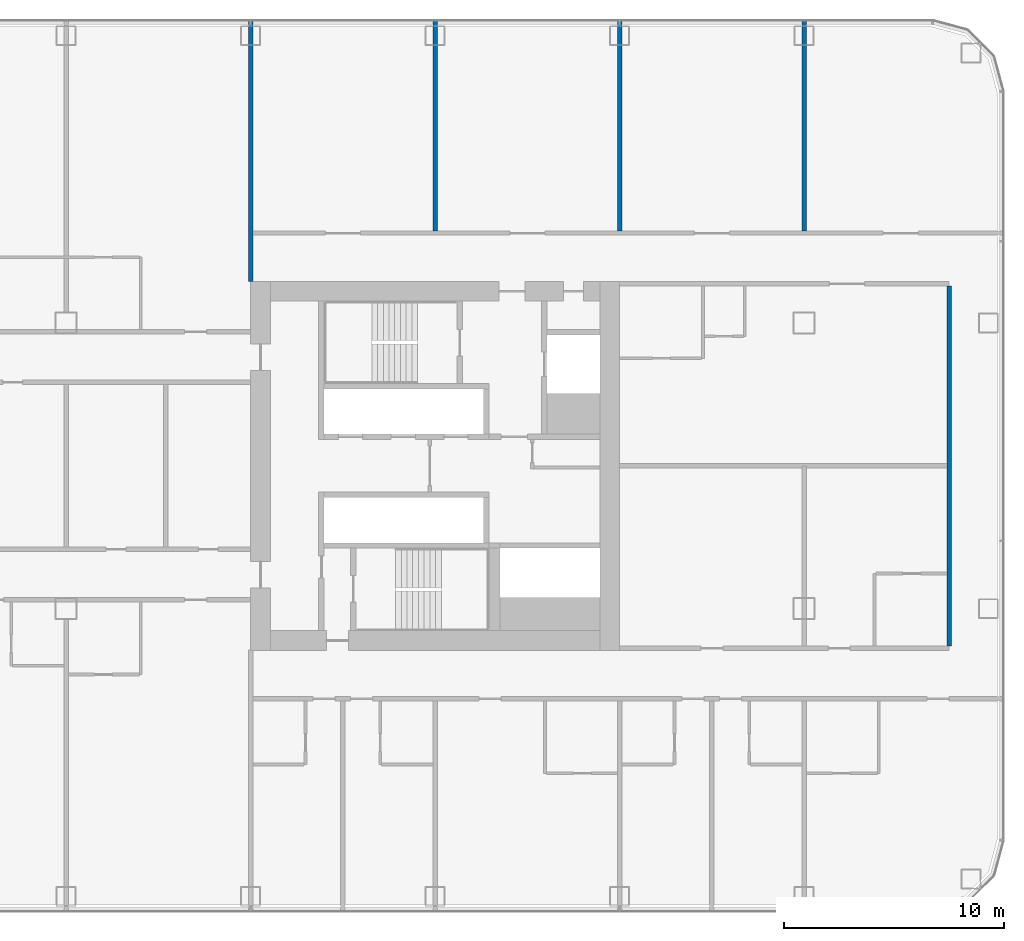
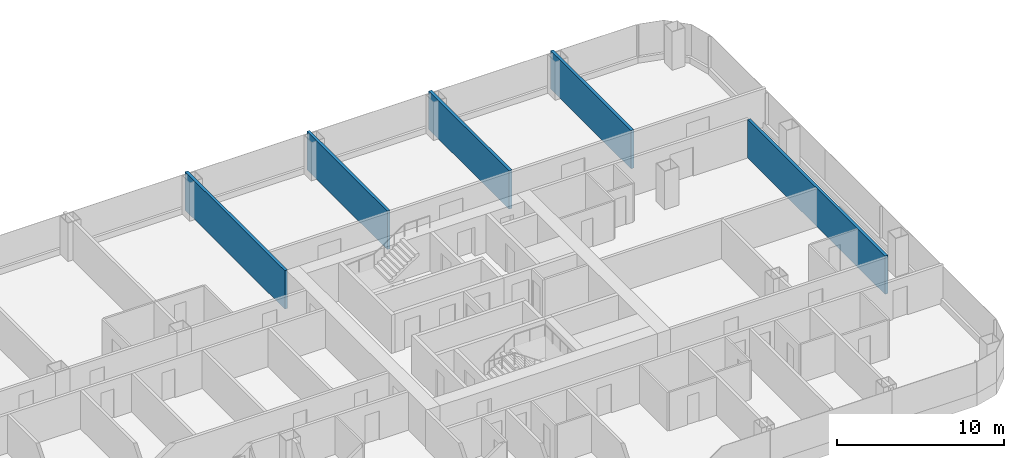
# One storey, part 20 of 29: 5 walls.
"""IFC4 building model written with IfcOpenShell, lengths in metres."""

from ifc_helpers import new_model, si_unit, direction, frame, frame_2d, origin, place, context, subcontext, project, spatial, rectangle, extrude, material, layer, layer_set, type_object, element, save


model = new_model("IFC4")

# Units and contexts
model_context = context("Model", 3, precision=1e-05, world=origin(), true_north=direction((0.0, 1.0)))
body_context = subcontext(model_context, "Body", "Model", "MODEL_VIEW")
ifc_project = project(units=[si_unit("LENGTHUNIT", "METRE"), si_unit("AREAUNIT", "SQUARE_METRE"), si_unit("VOLUMEUNIT", "CUBIC_METRE"), si_unit("PLANEANGLEUNIT", "RADIAN"), si_unit("MASSUNIT", "GRAM", prefix="KILO")], contexts=[model_context])

# Site, building, storey
site_placement = place(None, origin())
site = spatial("IfcSite", under=ifc_project, at=site_placement, CompositionType="ELEMENT")
building_placement = place(site_placement, origin())
building = spatial("IfcBuilding", under=site, at=building_placement, Name="Hakoniwa Tower and Hamabe Station Hall", CompositionType="ELEMENT")
storey_placement = place(building_placement, frame((0.0, 0.0, 45.39990234375)))
storey = spatial("IfcBuildingStorey", under=building, at=storey_placement, Name="L12", CompositionType="ELEMENT", Elevation=45.39990234375)

# Walls
ifc_material = material(Name="Fire-rated gypsum board partition", Category="gypsum")
ifc_layer = layer(ifc_material, 0.199951171875)
ifc_layer_set = layer_set([ifc_layer], Name="Party Wall 200")
wall_type = type_object("IfcWallType", Name="Party Wall 200", PredefinedType="PARTITIONING", material=ifc_layer_set)
wall_1_placement = place(storey_placement, frame((16.800048828125, 8.389892578125, 0.0), z_axis=(0.0, 0.0, 1.0), x_axis=(0.0, 1.0, 0.0)))
element("IfcWall", 1, at=wall_1_placement, inside=storey, type_object=wall_type, Name="GW-L12-097", PredefinedType="PARTITIONING", context=body_context, shape_type="SweptSolid", body=[
    extrude(rectangle(XDim=11.91015625, YDim=0.199951171875, at=frame_2d((5.955078125, 0.0))), origin(), (0.0, 0.0, 1.0), 2.800048828125),
])
for number, where, z_axis, x_axis, name in (
    (2, (25.199951171875, 10.699951171875, 0.0), (0.0, 0.0, 1.0), (0.0, 1.0, 0.0), "GW-L12-102"),
    (3, (33.60009765625, 10.699951171875, 0.0), (0.0, 0.0, 1.0), (0.0, 1.0, 0.0), "GW-L12-105"),
    (4, (42.0, 10.699951171875, 0.0), (0.0, 0.0, 1.0), (0.0, 1.0, 0.0), "GW-L12-113"),
):
    element("IfcWall", number, at=place(storey_placement, frame(where, z_axis=z_axis, x_axis=x_axis)), inside=storey, type_object=wall_type, Name=name, PredefinedType="PARTITIONING", context=body_context, shape_type="SweptSolid", body=[
        extrude(rectangle(XDim=9.60009765625, YDim=0.199951171875, at=frame_2d((4.800048828125, 0.0))), origin(), (0.0, 0.0, 1.0), 2.800048828125),
    ])
wall_2_placement = place(storey_placement, frame((48.60009765625, -8.199951171875, 0.0), z_axis=(0.0, 0.0, 1.0), x_axis=(0.0, 1.0, 0.0)))
element("IfcWall", 5, at=wall_2_placement, inside=storey, type_object=wall_type, Name="GW-L12-116", PredefinedType="PARTITIONING", context=body_context, shape_type="SweptSolid", body=[
    extrude(rectangle(XDim=16.39990234375, YDim=0.199951171875, at=frame_2d((8.199951171875, 0.0))), origin(), (0.0, 0.0, 1.0), 2.800048828125),
])

save(model, "model.ifc")
